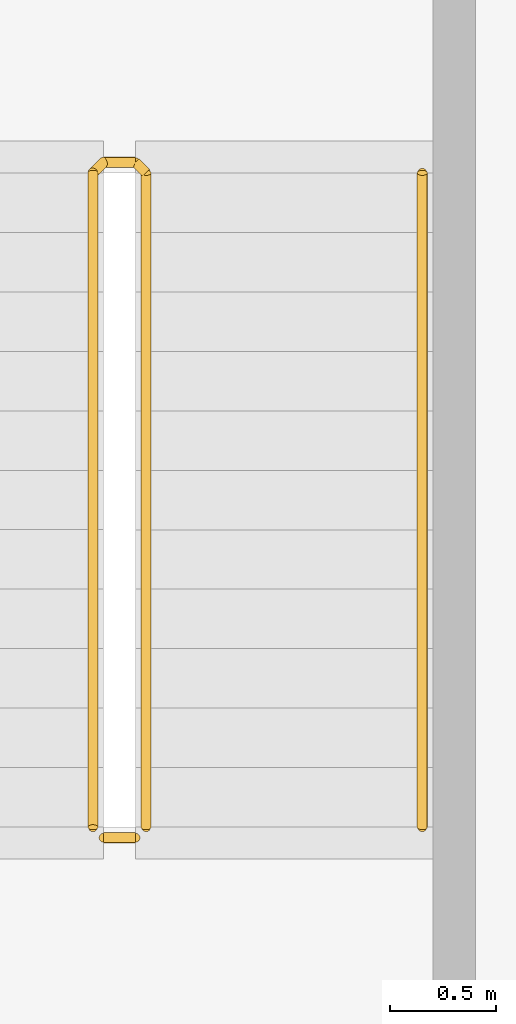
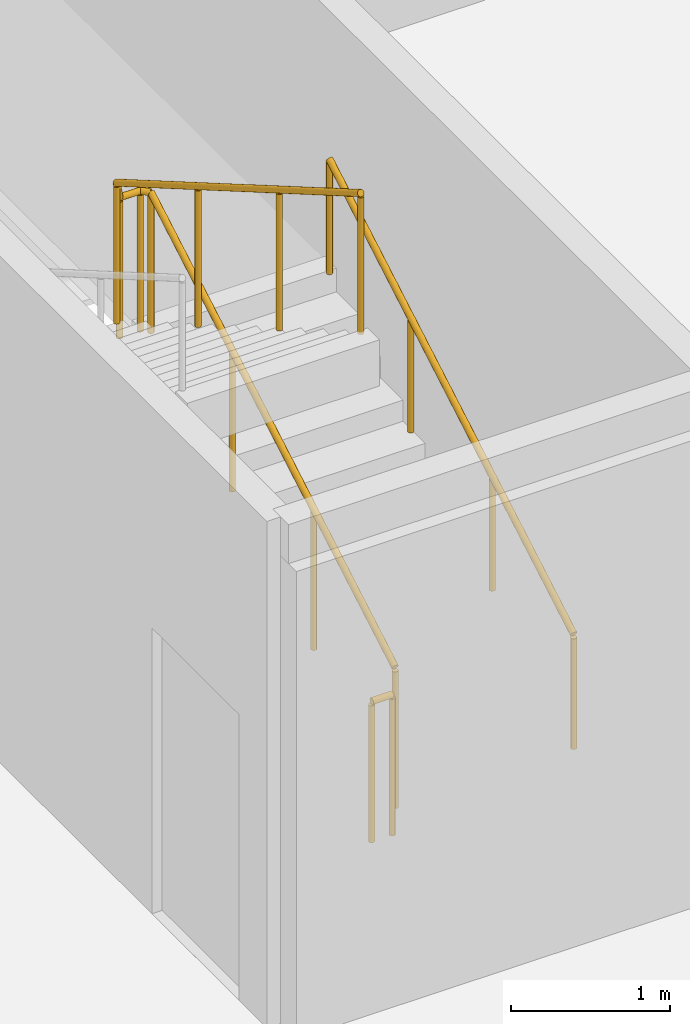
# One storey, part 28 of 29: 3 railings.
"""IFC4 building model written with IfcOpenShell, lengths in metres."""

from ifc_helpers import new_model, si_unit, direction, frame, origin, origin_2d, place, context, subcontext, project, spatial, circle, extrude, material, type_object, element, save


model = new_model("IFC4")

# Units and contexts
model_context = context("Model", 3, precision=1e-05, world=origin(), true_north=direction((0.0, 1.0)))
body_context = subcontext(model_context, "Body", "Model", "MODEL_VIEW")
ifc_project = project(units=[si_unit("LENGTHUNIT", "METRE"), si_unit("AREAUNIT", "SQUARE_METRE"), si_unit("VOLUMEUNIT", "CUBIC_METRE"), si_unit("PLANEANGLEUNIT", "RADIAN"), si_unit("MASSUNIT", "GRAM", prefix="KILO")], contexts=[model_context])

# Site, building, storey
site_placement = place(None, origin())
site = spatial("IfcSite", under=ifc_project, at=site_placement, CompositionType="ELEMENT")
building_placement = place(site_placement, origin())
building = spatial("IfcBuilding", under=site, at=building_placement, Name="Kheshtan School and Residences Tower", CompositionType="ELEMENT")
storey_placement = place(building_placement, frame((0.0, 0.0, 172.10009765625)))
storey = spatial("IfcBuildingStorey", under=building, at=storey_placement, Name="L40", CompositionType="ELEMENT", Elevation=172.10009765625)

# Railings
ifc_material_1 = material(Name="Stainless steel balustrade", Category="steel")
railing_type_1 = type_object("IfcRailingType", Name="Stair guard 1100", PredefinedType="GUARDRAIL", material=ifc_material_1)
railing_1_placement = place(storey_placement, frame((35.0, 80.89990234375, 0.162353515625)))
element("IfcRailing", 1, at=railing_1_placement, inside=storey, type_object=railing_type_1, Name="L40 ST3 stair guard 1", PredefinedType="GUARDRAIL", context=body_context, shape_type="SweptSolid", body=[
    extrude(circle(Radius=0.02392578125, at=origin_2d()), frame((0.0, 0.0, 1.076171875), z_axis=(0.0, 0.864890721111, 0.501960198159), x_axis=(-1.0, 0.0, 0.0)), (0.0, 0.0, 1.0), 3.561279296875),
    extrude(circle(Radius=0.02392578125, at=origin_2d()), frame((0.0, 3.080078125, 2.86376953125), z_axis=(-0.707106781187, 0.707106781187, 0.0), x_axis=(-0.707106781187, -0.707106781187, 0.0)), (0.0, 0.0, 1.0), 0.07080078125),
    extrude(circle(Radius=0.02392578125, at=origin_2d()), frame((-0.050048828125, 3.130126953125, 2.86376953125), z_axis=(-1.0, 0.0, 0.0), x_axis=(0.0, -1.0, 0.0)), (0.0, 0.0, 1.0), 0.14990234375),
    extrude(circle(Radius=0.02392578125, at=origin_2d()), frame((-0.199951171875, 3.130126953125, 2.86376953125), z_axis=(-0.282583949758, -0.282583949758, 0.916674763849), x_axis=(0.707106781187, -0.707106781187, 0.0)), (0.0, 0.0, 1.0), 0.177001953125),
    extrude(circle(Radius=0.02392578125, at=origin_2d()), frame((-0.25, 3.080078125, 3.02587890625), z_axis=(0.0, -0.864890721111, 0.501960198159), x_axis=(1.0, 0.0, 0.0)), (0.0, 0.0, 1.0), 3.561279296875),
    extrude(circle(Radius=0.02099609375, at=origin_2d()), origin(), (0.0, 0.0, 1.0), 1.052001953125),
    extrude(circle(Radius=0.02099609375, at=origin_2d()), frame((0.0, 1.026611328125, 0.595947265625)), (0.0, 0.0, 1.0), 1.052001953125),
    extrude(circle(Radius=0.02099609375, at=origin_2d()), frame((0.0, 2.053466796875, 1.191650390625)), (0.0, 0.0, 1.0), 1.052001953125),
    extrude(circle(Radius=0.02099609375, at=origin_2d()), frame((0.0, 3.080078125, 1.78759765625)), (0.0, 0.0, 1.0), 1.052001953125),
    extrude(circle(Radius=0.02099609375, at=origin_2d()), frame((-0.050048828125, 3.130126953125, 1.78759765625)), (0.0, 0.0, 1.0), 1.052001953125),
    extrude(circle(Radius=0.02099609375, at=origin_2d()), frame((-0.199951171875, 3.130126953125, 1.78759765625)), (0.0, 0.0, 1.0), 1.052001953125),
    extrude(circle(Radius=0.02099609375, at=origin_2d()), frame((-0.25, 3.080078125, 1.949951171875)), (0.0, 0.0, 1.0), 1.052001953125),
    extrude(circle(Radius=0.02099609375, at=origin_2d()), frame((-0.25, 2.053466796875, 2.5458984375)), (0.0, 0.0, 1.0), 1.052001953125),
    extrude(circle(Radius=0.02099609375, at=origin_2d()), frame((-0.25, 1.026611328125, 3.1416015625)), (0.0, 0.0, 1.0), 1.052001953125),
    extrude(circle(Radius=0.02099609375, at=origin_2d()), frame((-0.25, 0.0, 3.737548828125)), (0.0, 0.0, 1.0), 1.052001953125),
])
railing_2_placement = place(storey_placement, frame((34.949951171875, 80.85009765625, 0.0)))
element("IfcRailing", 2, at=railing_2_placement, inside=storey, type_object=railing_type_1, Name="L40 ST3 stair guard 2", PredefinedType="GUARDRAIL", context=body_context, shape_type="SweptSolid", body=[
    extrude(circle(Radius=0.02392578125, at=origin_2d()), frame((0.0, 0.0, 1.076171875), z_axis=(-1.0, 0.0, 0.0), x_axis=(0.0, -1.0, 0.0)), (0.0, 0.0, 1.0), 0.14990234375),
    extrude(circle(Radius=0.02099609375, at=origin_2d()), origin(), (0.0, 0.0, 1.0), 1.052001953125),
    extrude(circle(Radius=0.02099609375, at=origin_2d()), frame((-0.14990234375, 0.0, 0.0)), (0.0, 0.0, 1.0), 1.052001953125),
])
ifc_material_2 = material(Name="Stainless steel handrail", Category="steel")
railing_type_2 = type_object("IfcRailingType", Name="Stair handrail 900", PredefinedType="HANDRAIL", material=ifc_material_2)
railing_3_placement = place(storey_placement, frame((36.300048828125, 80.89990234375, 0.162353515625)))
element("IfcRailing", 3, at=railing_3_placement, inside=storey, type_object=railing_type_2, Name="L40 ST3 stair handrail 1", PredefinedType="HANDRAIL", context=body_context, shape_type="SweptSolid", body=[
    extrude(circle(Radius=0.02392578125, at=origin_2d()), frame((0.0, 0.0, 0.8759765625), z_axis=(0.0, 0.864890721111, 0.501960198159), x_axis=(-1.0, 0.0, 0.0)), (0.0, 0.0, 1.0), 3.561279296875),
    extrude(circle(Radius=0.02099609375, at=origin_2d()), origin(), (0.0, 0.0, 1.0), 0.851806640625),
    extrude(circle(Radius=0.02099609375, at=origin_2d()), frame((0.0, 1.026611328125, 0.595947265625)), (0.0, 0.0, 1.0), 0.851806640625),
    extrude(circle(Radius=0.02099609375, at=origin_2d()), frame((0.0, 2.053466796875, 1.191650390625)), (0.0, 0.0, 1.0), 0.851806640625),
    extrude(circle(Radius=0.02099609375, at=origin_2d()), frame((0.0, 3.080078125, 1.78759765625)), (0.0, 0.0, 1.0), 0.851806640625),
])

save(model, "model.ifc")
